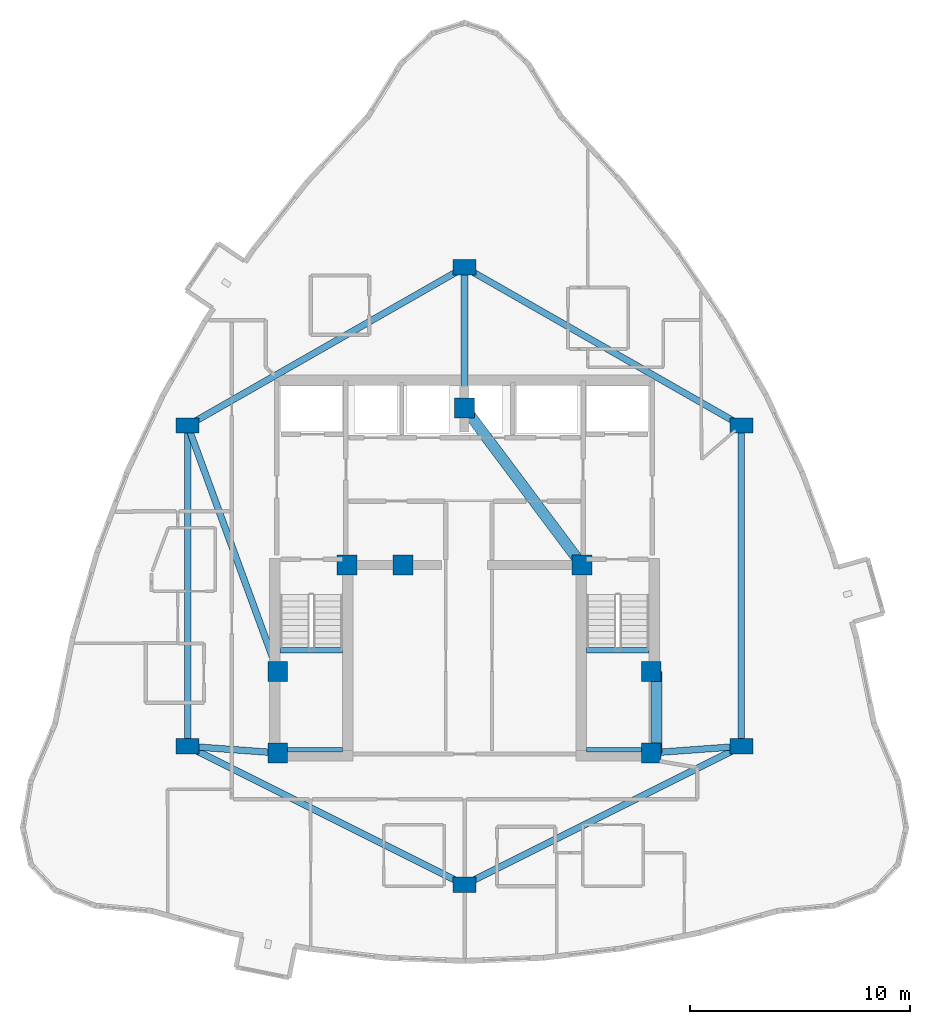
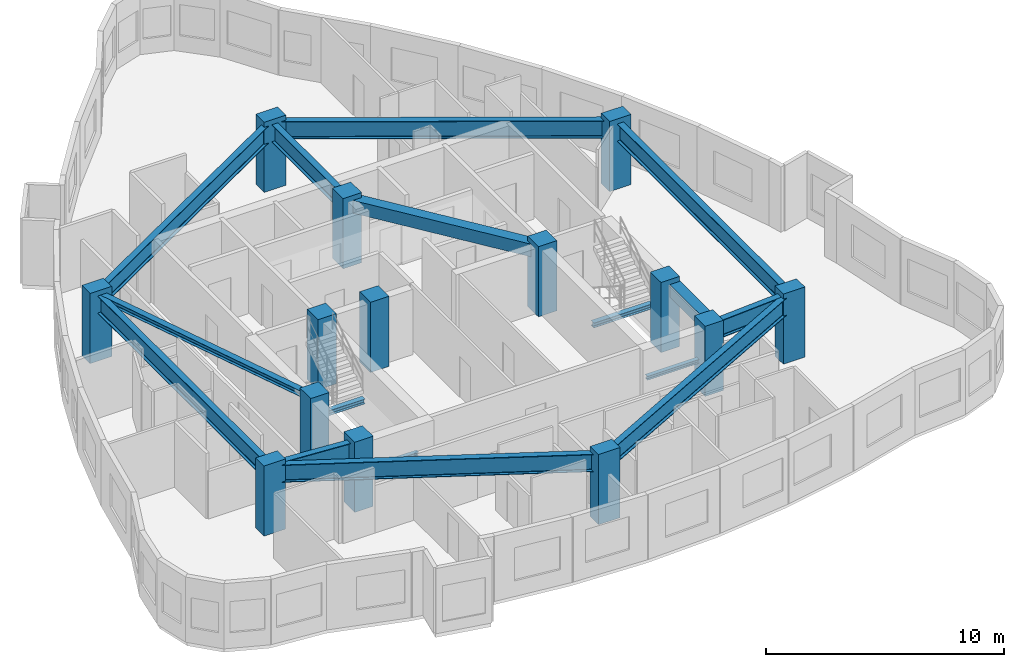
# One storey, part 1 of 13: 16 beams, 14 columns.
"""IFC4 building model written with IfcOpenShell, lengths in metres."""

from ifc_helpers import new_model, si_unit, direction, frame, origin, origin_2d, place, context, subcontext, project, spatial, rectangle, i_section, extrude, material, material_profile, profile_set, type_object, element, save


model = new_model("IFC4")

# Units and contexts
model_context = context("Model", 3, precision=1e-05, world=origin(), true_north=direction((0.0, 1.0)))
body_context = subcontext(model_context, "Body", "Model", "MODEL_VIEW")
ifc_project = project(units=[si_unit("LENGTHUNIT", "METRE"), si_unit("AREAUNIT", "SQUARE_METRE"), si_unit("VOLUMEUNIT", "CUBIC_METRE"), si_unit("PLANEANGLEUNIT", "RADIAN"), si_unit("MASSUNIT", "GRAM", prefix="KILO")], contexts=[model_context])

# Site, building, storey
site_placement = place(None, origin())
site = spatial("IfcSite", under=ifc_project, at=site_placement, CompositionType="ELEMENT")
building_placement = place(site_placement, origin())
building = spatial("IfcBuilding", under=site, at=building_placement, Name="Miruveldt Soraemaru", CompositionType="ELEMENT")
storey_placement = place(building_placement, frame((0.0, 0.0, 198.0)))
storey = spatial("IfcBuildingStorey", under=building, at=storey_placement, Name="L54", CompositionType="ELEMENT", Elevation=198.0)

# Columns
ifc_material_1 = material(Name="Concrete C50/60 (50 MPa)", Category="concrete")
ifc_material_profile_1 = material_profile(ifc_material_1, rectangle(XDim=0.89990234375, YDim=0.89990234375, at=origin_2d()), Name="Concrete C50/60 (50 MPa)", Category="concrete")
ifc_profile_set_1 = profile_set([ifc_material_profile_1], Name="Concrete C50/60 (50 MPa)")
column_type_1 = type_object("IfcColumnType", Name="COL-CORE-900", PredefinedType="COLUMN", material=ifc_profile_set_1)
for number, where, z_axis, x_axis, name in (
    (1, (35.5, 35.5, 0.0), (0.0, 0.0, 1.0), (1.0, 0.0, 0.0), "L54 Structural Column CC1"),
    (2, (38.64990234375, 44.050048828125, 0.0), (0.0, 0.0, 1.0), (1.0, 0.0, 0.0), "L54 Structural Column CC2"),
    (3, (52.5, 35.5, 0.0), (0.0, 0.0, 1.0), (1.0, 0.0, 0.0), "L54 Structural Column CC3"),
    (4, (52.5, 39.199951171875, 0.0), (0.0, 0.0, 1.0), (1.0, 0.0, 0.0), "L54 Structural Column CC4"),
    (5, (49.35009765625, 44.050048828125, 0.0), (0.0, 0.0, 1.0), (1.0, 0.0, 0.0), "L54 Structural Column CC5"),
    (6, (44.0, 51.199951171875, 0.0), (0.0, 0.0, 1.0), (1.0, 0.0, 0.0), "L54 Structural Column CC6"),
    (7, (35.5, 39.199951171875, 0.0), (0.0, 0.0, 1.0), (1.0, 0.0, 0.0), "L54 Structural Column CC7"),
    (8, (41.199951171875, 44.050048828125, 0.0), (0.0, 0.0, 1.0), (1.0, 0.0, 0.0), "L54 Structural Column CC8"),
):
    element("IfcColumn", number, at=place(storey_placement, frame(where, z_axis=z_axis, x_axis=x_axis)), inside=storey, type_object=column_type_1, Name=name, PredefinedType="COLUMN", context=body_context, shape_type="SweptSolid", body=[
        extrude(rectangle(XDim=0.89990234375, YDim=0.89990234375, at=origin_2d()), origin(), (0.0, 0.0, 1.0), 3.60009765625),
    ])
ifc_material_2 = material(Name="Concrete C60/75 (60 MPa)", Category="concrete")
ifc_material_profile_2 = material_profile(ifc_material_2, rectangle(XDim=1.050048828125, YDim=0.699951171875, at=origin_2d()), Name="Concrete C60/75 (60 MPa)", Category="concrete")
ifc_profile_set_2 = profile_set([ifc_material_profile_2], Name="Concrete C60/75 (60 MPa)")
column_type_2 = type_object("IfcColumnType", Name="COL-TW-Z3", PredefinedType="COLUMN", material=ifc_profile_set_2)
for number, where, z_axis, x_axis, name in (
    (9, (44.0, 57.60009765625, 0.0), (0.0, 0.0, 1.0), (1.0, 0.0, 0.0), "L54 Structural Column IR01"),
    (10, (56.60009765625, 50.39990234375, 0.0), (0.0, 0.0, 1.0), (1.0, 0.0, 0.0), "L54 Structural Column IR02"),
    (11, (56.60009765625, 35.800048828125, 0.0), (0.0, 0.0, 1.0), (1.0, 0.0, 0.0), "L54 Structural Column IR03"),
    (12, (44.0, 29.5, 0.0), (0.0, 0.0, 1.0), (1.0, 0.0, 0.0), "L54 Structural Column IR04"),
    (13, (31.39990234375, 35.800048828125, 0.0), (0.0, 0.0, 1.0), (1.0, 0.0, 0.0), "L54 Structural Column IR05"),
    (14, (31.39990234375, 50.39990234375, 0.0), (0.0, 0.0, 1.0), (1.0, 0.0, 0.0), "L54 Structural Column IR06"),
):
    element("IfcColumn", number, at=place(storey_placement, frame(where, z_axis=z_axis, x_axis=x_axis)), inside=storey, type_object=column_type_2, Name=name, PredefinedType="COLUMN", context=body_context, shape_type="SweptSolid", body=[
        extrude(rectangle(XDim=1.050048828125, YDim=0.699951171875, at=origin_2d()), origin(), (0.0, 0.0, 1.0), 3.60009765625),
    ])

# Beams
ifc_material_3 = material(Name="Steel SM355 (355 MPa)", Category="steel")
ifc_material_profile_3 = material_profile(ifc_material_3, i_section(OverallWidth=0.300048828125, OverallDepth=0.300048828125, WebThickness=0.010009765625, FlangeThickness=0.014892578125, FilletRadius=0.01806640625, at=origin_2d()), Name="Steel SM355 (355 MPa)", Category="steel")
ifc_profile_set_3 = profile_set([ifc_material_profile_3], Name="Steel SM355 (355 MPa)")
beam_type_1 = type_object("IfcBeamType", Name="BM-LNT-H300", PredefinedType="LINTEL", material=ifc_profile_set_3)
beam_1_placement = place(storey_placement, frame((31.39990234375, 50.39990234375, 3.195068359375), z_axis=(0.343770424598, -0.939053723262, 0.0), x_axis=(0.939053723262, 0.343770424598, 0.0)))
element("IfcBeam", 15, at=beam_1_placement, inside=storey, type_object=beam_type_1, Name="L54 West Lobby Lintel", PredefinedType="LINTEL", context=body_context, shape_type="SweptSolid", body=[
    extrude(i_section(OverallWidth=0.300048828125, OverallDepth=0.300048828125, WebThickness=0.010009765625, FlangeThickness=0.014892578125, FilletRadius=0.01806640625, at=origin_2d()), origin(), (0.0, 0.0, 1.0), 11.9267578125),
])
ifc_material_profile_4 = material_profile(ifc_material_1, rectangle(XDim=0.5, YDim=0.64990234375, at=origin_2d()), Name="Concrete C50/60 (50 MPa)", Category="concrete")
ifc_profile_set_4 = profile_set([ifc_material_profile_4], Name="Concrete C50/60 (50 MPa)")
beam_type_2 = type_object("IfcBeamType", Name="BM-RC-500x650", PredefinedType="BEAM", material=ifc_profile_set_4)
beam_2_placement = place(storey_placement, frame((52.72998046875, 35.5, 3.02001953125), z_axis=(0.0, 1.0, 0.0), x_axis=(-1.0, 0.0, 0.0)))
element("IfcBeam", 16, at=beam_2_placement, inside=storey, type_object=beam_type_2, Name="L54 Core Tie Beam 3", PredefinedType="BEAM", context=body_context, shape_type="SweptSolid", body=[
    extrude(rectangle(XDim=0.5, YDim=0.64990234375, at=origin_2d()), origin(), (0.0, 0.0, 1.0), 3.699951171875),
])
beam_3_placement = place(storey_placement, frame((49.35009765625, 44.050048828125, 3.02001953125), z_axis=(-0.599116023999, 0.800662219533, 0.0), x_axis=(-0.800662219533, -0.599116023999, 0.0)))
element("IfcBeam", 17, at=beam_3_placement, inside=storey, type_object=beam_type_2, Name="L54 Core Tie Beam 5", PredefinedType="BEAM", context=body_context, shape_type="SweptSolid", body=[
    extrude(rectangle(XDim=0.5, YDim=0.64990234375, at=origin_2d()), origin(), (0.0, 0.0, 1.0), 8.929931640625),
])
ifc_material_4 = material(Name="Steel S460 (460 MPa)", Category="steel")
ifc_material_profile_5 = material_profile(ifc_material_4, i_section(OverallWidth=0.300048828125, OverallDepth=0.89990234375, WebThickness=0.01611328125, FlangeThickness=0.028076171875, FilletRadius=0.028076171875, at=origin_2d()), Name="Steel S460 (460 MPa)", Category="steel")
ifc_profile_set_5 = profile_set([ifc_material_profile_5], Name="Steel S460 (460 MPa)")
beam_type_3 = type_object("IfcBeamType", Name="BM-ST-H900", PredefinedType="BEAM", material=ifc_profile_set_5)
beam_4_placement = place(storey_placement, frame((44.0, 57.60009765625, 2.89501953125), z_axis=(0.868239001029, -0.496146185203, 0.0), x_axis=(0.496146185203, 0.868239001029, 0.0)))
element("IfcBeam", 18, at=beam_4_placement, inside=storey, type_object=beam_type_3, Name="L54 Inner Ring Girder 1", PredefinedType="BEAM", context=body_context, shape_type="SweptSolid", body=[
    extrude(i_section(OverallWidth=0.300048828125, OverallDepth=0.89990234375, WebThickness=0.01611328125, FlangeThickness=0.028076171875, FilletRadius=0.028076171875, at=origin_2d()), origin(), (0.0, 0.0, 1.0), 14.51220703125),
])
beam_5_placement = place(storey_placement, frame((44.0, 51.199951171875, 2.89501953125), z_axis=(0.0, 1.0, 0.0), x_axis=(-1.0, 0.0, 0.0)))
element("IfcBeam", 19, at=beam_5_placement, inside=storey, type_object=beam_type_3, Name="L54 Core-to-Inner Radial Girder 1", PredefinedType="BEAM", context=body_context, shape_type="SweptSolid", body=[
    extrude(i_section(OverallWidth=0.300048828125, OverallDepth=0.89990234375, WebThickness=0.01611328125, FlangeThickness=0.028076171875, FilletRadius=0.028076171875, at=origin_2d()), origin(), (0.0, 0.0, 1.0), 6.400146484375),
])
beam_6_placement = place(storey_placement, frame((56.60009765625, 50.39990234375, 2.89501953125), z_axis=(0.0, -1.0, 0.0), x_axis=(1.0, 0.0, 0.0)))
element("IfcBeam", 20, at=beam_6_placement, inside=storey, type_object=beam_type_3, Name="L54 Inner Ring Girder 2", PredefinedType="BEAM", context=body_context, shape_type="SweptSolid", body=[
    extrude(i_section(OverallWidth=0.300048828125, OverallDepth=0.89990234375, WebThickness=0.01611328125, FlangeThickness=0.028076171875, FilletRadius=0.028076171875, at=origin_2d()), origin(), (0.0, 0.0, 1.0), 14.599853515625),
])
beam_7_placement = place(storey_placement, frame((56.60009765625, 35.800048828125, 2.89501953125), z_axis=(-0.894427191, -0.4472135955, 0.0), x_axis=(0.4472135955, -0.894427191, 0.0)))
element("IfcBeam", 21, at=beam_7_placement, inside=storey, type_object=beam_type_3, Name="L54 Inner Ring Girder 3", PredefinedType="BEAM", context=body_context, shape_type="SweptSolid", body=[
    extrude(i_section(OverallWidth=0.300048828125, OverallDepth=0.89990234375, WebThickness=0.01611328125, FlangeThickness=0.028076171875, FilletRadius=0.028076171875, at=origin_2d()), origin(), (0.0, 0.0, 1.0), 14.08740234375),
])
beam_8_placement = place(storey_placement, frame((52.5, 35.5, 2.89501953125), z_axis=(0.997332985605, 0.072985723431, 0.0), x_axis=(-0.072985723431, 0.997332985605, 0.0)))
element("IfcBeam", 22, at=beam_8_placement, inside=storey, type_object=beam_type_3, Name="L54 Core-to-Inner Radial Girder 3", PredefinedType="BEAM", context=body_context, shape_type="SweptSolid", body=[
    extrude(i_section(OverallWidth=0.300048828125, OverallDepth=0.89990234375, WebThickness=0.01611328125, FlangeThickness=0.028076171875, FilletRadius=0.028076171875, at=origin_2d()), origin(), (0.0, 0.0, 1.0), 4.111083984375),
])
beam_9_placement = place(storey_placement, frame((44.0, 29.5, 2.89501953125), z_axis=(-0.894427191, 0.4472135955, 0.0), x_axis=(-0.4472135955, -0.894427191, 0.0)))
element("IfcBeam", 23, at=beam_9_placement, inside=storey, type_object=beam_type_3, Name="L54 Inner Ring Girder 4", PredefinedType="BEAM", context=body_context, shape_type="SweptSolid", body=[
    extrude(i_section(OverallWidth=0.300048828125, OverallDepth=0.89990234375, WebThickness=0.01611328125, FlangeThickness=0.028076171875, FilletRadius=0.028076171875, at=origin_2d()), origin(), (0.0, 0.0, 1.0), 14.08740234375),
])
beam_10_placement = place(storey_placement, frame((31.39990234375, 35.800048828125, 2.89501953125), z_axis=(0.0, 1.0, 0.0), x_axis=(-1.0, 0.0, 0.0)))
element("IfcBeam", 24, at=beam_10_placement, inside=storey, type_object=beam_type_3, Name="L54 Inner Ring Girder 5", PredefinedType="BEAM", context=body_context, shape_type="SweptSolid", body=[
    extrude(i_section(OverallWidth=0.300048828125, OverallDepth=0.89990234375, WebThickness=0.01611328125, FlangeThickness=0.028076171875, FilletRadius=0.028076171875, at=origin_2d()), origin(), (0.0, 0.0, 1.0), 14.599853515625),
])
beam_11_placement = place(storey_placement, frame((35.5, 35.5, 2.89501953125), z_axis=(-0.997332985605, 0.072985723431, 0.0), x_axis=(-0.072985723431, -0.997332985605, 0.0)))
element("IfcBeam", 25, at=beam_11_placement, inside=storey, type_object=beam_type_3, Name="L54 Core-to-Inner Radial Girder 5", PredefinedType="BEAM", context=body_context, shape_type="SweptSolid", body=[
    extrude(i_section(OverallWidth=0.300048828125, OverallDepth=0.89990234375, WebThickness=0.01611328125, FlangeThickness=0.028076171875, FilletRadius=0.028076171875, at=origin_2d()), origin(), (0.0, 0.0, 1.0), 4.111083984375),
])
beam_12_placement = place(storey_placement, frame((31.39990234375, 50.39990234375, 2.89501953125), z_axis=(0.868239001029, 0.496146185203, 0.0), x_axis=(-0.496146185203, 0.868239001029, 0.0)))
element("IfcBeam", 26, at=beam_12_placement, inside=storey, type_object=beam_type_3, Name="L54 Inner Ring Girder 6", PredefinedType="BEAM", context=body_context, shape_type="SweptSolid", body=[
    extrude(i_section(OverallWidth=0.300048828125, OverallDepth=0.89990234375, WebThickness=0.01611328125, FlangeThickness=0.028076171875, FilletRadius=0.028076171875, at=origin_2d()), origin(), (0.0, 0.0, 1.0), 14.51220703125),
])
ifc_material_profile_6 = material_profile(ifc_material_3, i_section(OverallWidth=0.199951171875, OverallDepth=0.199951171875, WebThickness=0.008056640625, FlangeThickness=0.011962890625, FilletRadius=0.012939453125, at=origin_2d()), Name="Steel SM355 (355 MPa)", Category="steel")
ifc_profile_set_6 = profile_set([ifc_material_profile_6], Name="Steel SM355 (355 MPa)")
beam_type_4 = type_object("IfcBeamType", Name="BM-ST-LND200", PredefinedType="BEAM", material=ifc_profile_set_6)
for number, where, z_axis, x_axis, name in (
    (27, (35.60009765625, 35.64990234375, 1.5), (1.0, 0.0, 0.0), (0.0, 1.0, 0.0), "L54 ST1 Landing End Beam 1B"),
    (28, (49.550048828125, 35.64990234375, 1.5), (1.0, 0.0, 0.0), (0.0, 1.0, 0.0), "L54 ST2 Landing End Beam 1B"),
):
    element("IfcBeam", number, at=place(storey_placement, frame(where, z_axis=z_axis, x_axis=x_axis)), inside=storey, type_object=beam_type_4, Name=name, PredefinedType="BEAM", context=body_context, shape_type="SweptSolid", body=[
        extrude(i_section(OverallWidth=0.199951171875, OverallDepth=0.199951171875, WebThickness=0.008056640625, FlangeThickness=0.011962890625, FilletRadius=0.012939453125, at=origin_2d()), origin(), (0.0, 0.0, 1.0), 2.849853515625),
    ])
ifc_material_profile_7 = material_profile(ifc_material_3, i_section(OverallWidth=0.25, OverallDepth=0.25, WebThickness=0.009033203125, FlangeThickness=0.013916015625, FilletRadius=0.01611328125, at=origin_2d()), Name="Steel SM355 (355 MPa)", Category="steel")
ifc_profile_set_7 = profile_set([ifc_material_profile_7], Name="Steel SM355 (355 MPa)")
beam_type_5 = type_object("IfcBeamType", Name="BM-ST-LND250", PredefinedType="BEAM", material=ifc_profile_set_7)
for number, where, z_axis, x_axis, name in (
    (29, (35.60009765625, 40.179931640625, 1.47509765625), (1.0, 0.0, 0.0), (0.0, 1.0, 0.0), "L54 ST1 Landing Support Beam 1A"),
    (30, (49.550048828125, 40.179931640625, 1.47509765625), (1.0, 0.0, 0.0), (0.0, 1.0, 0.0), "L54 ST2 Landing Support Beam 1A"),
):
    element("IfcBeam", number, at=place(storey_placement, frame(where, z_axis=z_axis, x_axis=x_axis)), inside=storey, type_object=beam_type_5, Name=name, PredefinedType="BEAM", context=body_context, shape_type="SweptSolid", body=[
        extrude(i_section(OverallWidth=0.25, OverallDepth=0.25, WebThickness=0.009033203125, FlangeThickness=0.013916015625, FilletRadius=0.01611328125, at=origin_2d()), origin(), (0.0, 0.0, 1.0), 2.849853515625),
    ])

save(model, "model.ifc")
